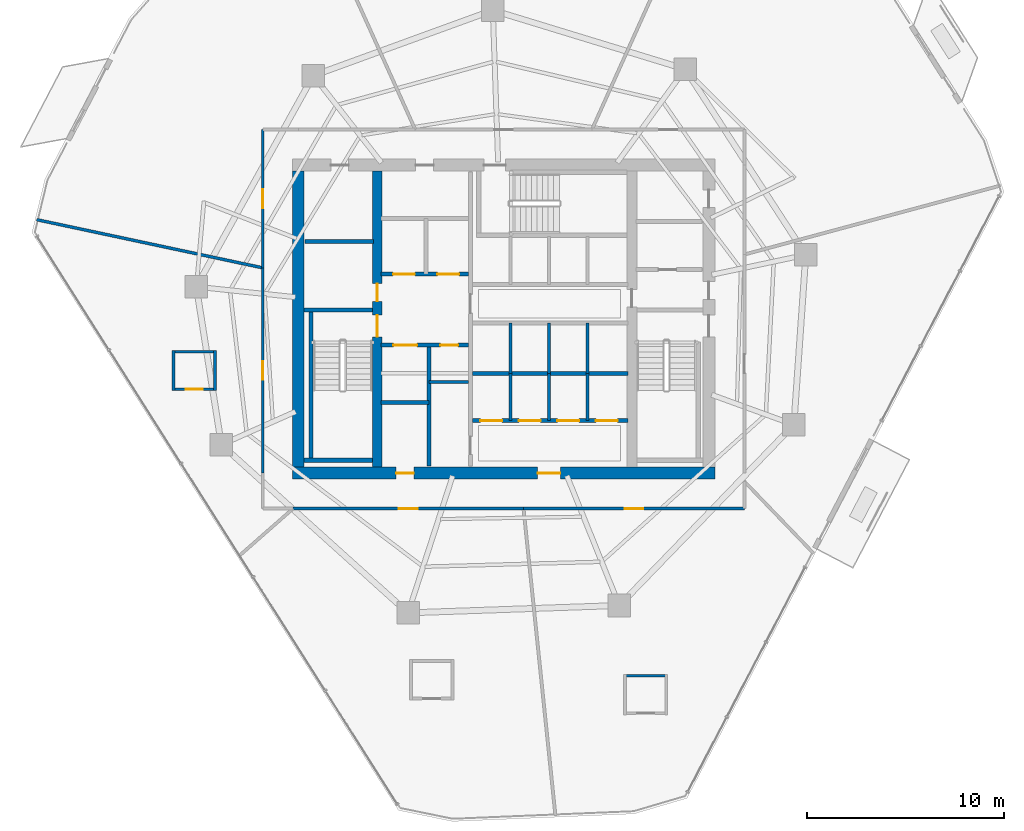
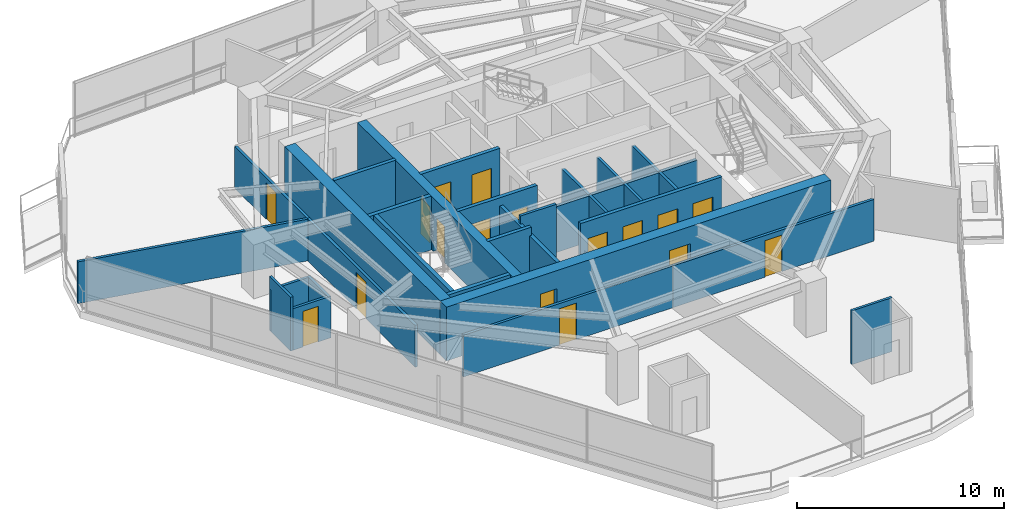
# One storey, part 21 of 25: 30 walls, 17 doors, 17 openings.
"""IFC4 building model written with IfcOpenShell, lengths in metres."""

from ifc_helpers import new_model, si_unit, direction, frame, frame_2d, origin, place, context, subcontext, project, spatial, rectangle, extrude, material, layer, layer_set, type_object, element, fill, save


model = new_model("IFC4")

# Units and contexts
model_context = context("Model", 3, precision=1e-05, world=origin(), true_north=direction((0.0, 1.0)))
body_context = subcontext(model_context, "Body", "Model", "MODEL_VIEW")
ifc_project = project(units=[si_unit("LENGTHUNIT", "METRE"), si_unit("AREAUNIT", "SQUARE_METRE"), si_unit("VOLUMEUNIT", "CUBIC_METRE"), si_unit("PLANEANGLEUNIT", "RADIAN"), si_unit("MASSUNIT", "GRAM", prefix="KILO")], contexts=[model_context])

# Site, building, storey
site_placement = place(None, origin())
site = spatial("IfcSite", under=ifc_project, at=site_placement, CompositionType="ELEMENT")
building_placement = place(site_placement, origin())
building = spatial("IfcBuilding", under=site, at=building_placement, Name="Qarnah Convention Tower", CompositionType="ELEMENT")
storey_placement = place(building_placement, frame((0.0, 0.0, 76.35009765625)))
storey = spatial("IfcBuildingStorey", under=building, at=storey_placement, Name="L19", CompositionType="ELEMENT", Elevation=76.35009765625)

# Wall, openings, doors
ifc_material_1 = material(Name="Concrete C60/75", Category="concrete")
ifc_layer_1 = layer(ifc_material_1, 0.60009765625)
ifc_layer_set_1 = layer_set([ifc_layer_1], Name="Concrete C60/75")
wall_type_1 = type_object("IfcWallType", Name="WL-CORE-600", PredefinedType="SHEAR", material=ifc_layer_set_1)
wall_1_placement = place(storey_placement, frame((26.5, 18.60009765625, 0.0), z_axis=(0.0, 0.0, 1.0), x_axis=(1.0, 0.0, 0.0)))
wall_1 = element("IfcWall", 1, at=wall_1_placement, inside=storey, type_object=wall_type_1, Name="L19 core south shear wall", PredefinedType="SHEAR", context=body_context, shape_type="SweptSolid", body=[
    extrude(rectangle(XDim=21.39990234375, YDim=0.60009765625, at=frame_2d((10.699951171875, 0.0))), origin(), (0.0, 0.0, 1.0), 3.169921875),
])
opening_1_placement = place(wall_1_placement, frame((12.425048828125, 0.0, 0.0)))
opening_1 = element("IfcOpeningElement", 2, at=opening_1_placement, cuts=wall_1, Name="Opening D-1907", PredefinedType="OPENING", context=body_context, shape_type="SweptSolid", body=[
    extrude(rectangle(XDim=1.14990234375, YDim=2.14990234375, at=frame_2d((0.574951171875, 1.074951171875))), frame((0.0, 0.31005859375, 0.0), z_axis=(0.0, -1.0, 0.0), x_axis=(1.0, 0.0, 0.0)), (0.0, 0.0, 1.0), 0.6201171875),
])
opening_2_placement = place(wall_1_placement, frame((5.25, 0.0, 0.0)))
opening_2 = element("IfcOpeningElement", 3, at=opening_2_placement, cuts=wall_1, Name="Opening D-1913", PredefinedType="OPENING", context=body_context, shape_type="SweptSolid", body=[
    extrude(rectangle(XDim=0.89990234375, YDim=2.10009765625, at=frame_2d((0.449951171875, 1.050048828125))), frame((0.0, 0.31005859375, 0.0), z_axis=(0.0, -1.0, 0.0), x_axis=(1.0, 0.0, 0.0)), (0.0, 0.0, 1.0), 0.6201171875),
])
ifc_material_2 = material(Name="Structural steel S355JR", Category="steel")
door_type_1 = type_object("IfcDoorType", Name="DT-LOBBY-1150", OperationType="NOTDEFINED", PredefinedType="DOOR", material=ifc_material_2)
door_1_placement = place(opening_1_placement, origin())
door_1 = element("IfcDoor", 4, at=door_1_placement, inside=storey, type_object=door_type_1, Name="Door D-1907", OperationType="SINGLE_SWING_LEFT", OverallHeight=2.14990234375, OverallWidth=1.14990234375, PredefinedType="DOOR", context=body_context, shape_type="SweptSolid", body=[
    extrude(rectangle(XDim=1.14990234375, YDim=2.14990234375, at=frame_2d((0.574951171875, 1.074951171875))), frame((0.0, 0.02490234375, 0.0), z_axis=(0.0, -1.0, 0.0), x_axis=(1.0, 0.0, 0.0)), (0.0, 0.0, 1.0), 0.050048828125),
])
fill(opening_1, door_1)
door_type_2 = type_object("IfcDoorType", Name="DT-RISER-900", OperationType="NOTDEFINED", PredefinedType="DOOR", material=ifc_material_2)
door_2_placement = place(opening_2_placement, origin())
door_2 = element("IfcDoor", 5, at=door_2_placement, inside=storey, type_object=door_type_2, Name="Door D-1913", OperationType="SINGLE_SWING_LEFT", OverallHeight=2.10009765625, OverallWidth=0.89990234375, PredefinedType="DOOR", context=body_context, shape_type="SweptSolid", body=[
    extrude(rectangle(XDim=0.89990234375, YDim=2.10009765625, at=frame_2d((0.449951171875, 1.050048828125))), frame((0.0, 0.02490234375, 0.0), z_axis=(0.0, -1.0, 0.0), x_axis=(1.0, 0.0, 0.0)), (0.0, 0.0, 1.0), 0.050048828125),
])
fill(opening_2, door_2)

# Wall
wall_2_placement = place(storey_placement, frame((26.800048828125, 18.89990234375, 0.0), z_axis=(0.0, 0.0, 1.0), x_axis=(0.0, 1.0, 0.0)))
element("IfcWall", 6, at=wall_2_placement, inside=storey, type_object=wall_type_1, Name="L19 core west shear wall", PredefinedType="SHEAR", context=body_context, shape_type="SweptSolid", body=[
    extrude(rectangle(XDim=15.0, YDim=0.60009765625, at=frame_2d((7.5, 0.0))), origin(), (0.0, 0.0, 1.0), 3.169921875),
])

# Wall, openings, doors
ifc_layer_2 = layer(ifc_material_1, 0.5)
ifc_layer_set_2 = layer_set([ifc_layer_2], Name="Concrete C60/75")
wall_type_2 = type_object("IfcWallType", Name="WL-CORE-INT-400", PredefinedType="SHEAR", material=ifc_layer_set_2)
wall_3_placement = place(storey_placement, frame((30.800048828125, 18.89990234375, 0.0), z_axis=(0.0, 0.0, 1.0), x_axis=(0.0, 1.0, 0.0)))
wall_3 = element("IfcWall", 7, at=wall_3_placement, inside=storey, type_object=wall_type_2, Name="L19 core west spine shear wall", PredefinedType="SHEAR", context=body_context, shape_type="SweptSolid", body=[
    extrude(rectangle(XDim=15.0, YDim=0.5, at=frame_2d((7.5, 0.0))), origin(), (0.0, 0.0, 1.0), 3.169921875),
])
opening_3_placement = place(wall_3_placement, frame((6.60009765625, 0.0, 0.0)))
opening_3 = element("IfcOpeningElement", 8, at=opening_3_placement, cuts=wall_3, Name="Opening D-1901", PredefinedType="OPENING", context=body_context, shape_type="SweptSolid", body=[
    extrude(rectangle(XDim=1.10009765625, YDim=2.14990234375, at=frame_2d((0.550048828125, 1.074951171875))), frame((0.0, 0.260009765625, 0.0), z_axis=(0.0, -1.0, 0.0), x_axis=(1.0, 0.0, 0.0)), (0.0, 0.0, 1.0), 0.52001953125),
])
opening_4_placement = place(wall_3_placement, frame((8.39990234375, 0.0, 0.0)))
opening_4 = element("IfcOpeningElement", 9, at=opening_4_placement, cuts=wall_3, Name="Opening D-1908", PredefinedType="OPENING", context=body_context, shape_type="SweptSolid", body=[
    extrude(rectangle(XDim=0.89990234375, YDim=2.10009765625, at=frame_2d((0.449951171875, 1.050048828125))), frame((0.0, 0.260009765625, 0.0), z_axis=(0.0, -1.0, 0.0), x_axis=(1.0, 0.0, 0.0)), (0.0, 0.0, 1.0), 0.52001953125),
])
door_3_placement = place(opening_4_placement, origin())
door_3 = element("IfcDoor", 10, at=door_3_placement, inside=storey, type_object=door_type_2, Name="Door D-1908", OperationType="SINGLE_SWING_RIGHT", OverallHeight=2.10009765625, OverallWidth=0.89990234375, PredefinedType="DOOR", context=body_context, shape_type="SweptSolid", body=[
    extrude(rectangle(XDim=0.89990234375, YDim=2.10009765625, at=frame_2d((0.449951171875, 1.050048828125))), frame((0.0, 0.02490234375, 0.0), z_axis=(0.0, -1.0, 0.0), x_axis=(1.0, 0.0, 0.0)), (0.0, 0.0, 1.0), 0.050048828125),
])
fill(opening_4, door_3)
door_type_3 = type_object("IfcDoorType", Name="DT-STAIR-1100", OperationType="NOTDEFINED", PredefinedType="DOOR", material=ifc_material_2)
door_4_placement = place(opening_3_placement, origin())
door_4 = element("IfcDoor", 11, at=door_4_placement, inside=storey, type_object=door_type_3, Name="Door D-1901", OperationType="SINGLE_SWING_LEFT", OverallHeight=2.14990234375, OverallWidth=1.10009765625, PredefinedType="DOOR", context=body_context, shape_type="SweptSolid", body=[
    extrude(rectangle(XDim=1.10009765625, YDim=2.14990234375, at=frame_2d((0.550048828125, 1.074951171875))), frame((0.0, 0.02490234375, 0.0), z_axis=(0.0, -1.0, 0.0), x_axis=(1.0, 0.0, 0.0)), (0.0, 0.0, 1.0), 0.050048828125),
])
fill(opening_3, door_4)

# Wall
ifc_material_3 = material(Name="Concrete C45/55", Category="concrete")
ifc_layer_3 = layer(ifc_material_3, 0.199951171875)
ifc_layer_set_3 = layer_set([ifc_layer_3], Name="Concrete C45/55")
wall_type_3 = type_object("IfcWallType", Name="WL-CORE-PART-200", PredefinedType="SOLIDWALL", material=ifc_layer_set_3)
wall_4_placement = place(storey_placement, frame((27.14990234375, 30.320068359375, 0.0), z_axis=(0.0, 0.0, 1.0), x_axis=(1.0, 0.0, 0.0)))
element("IfcWall", 12, at=wall_4_placement, inside=storey, type_object=wall_type_3, Name="L19 interior wall IW-L19-ELRN", PredefinedType="SOLIDWALL", context=body_context, shape_type="SweptSolid", body=[
    extrude(rectangle(XDim=3.4501953125, YDim=0.199951171875, at=frame_2d((1.72509765625, 0.0))), origin(), (0.0, 0.0, 1.0), 3.169921875),
])

# Wall, openings, doors
wall_5_placement = place(storey_placement, frame((31.0, 28.679931640625, 0.0), z_axis=(0.0, 0.0, 1.0), x_axis=(1.0, 0.0, 0.0)))
wall_5 = element("IfcWall", 13, at=wall_5_placement, inside=storey, type_object=wall_type_3, Name="L19 interior wall IW-L19-FFLS", PredefinedType="SOLIDWALL", context=body_context, shape_type="SweptSolid", body=[
    extrude(rectangle(XDim=4.419921875, YDim=0.199951171875, at=frame_2d((2.2099609375, 0.0))), origin(), (0.0, 0.0, 1.0), 3.169921875),
])
opening_5_placement = place(wall_5_placement, frame((0.60009765625, 0.0, 0.0)))
opening_5 = element("IfcOpeningElement", 14, at=opening_5_placement, cuts=wall_5, Name="Opening LD-1901", PredefinedType="OPENING", context=body_context, shape_type="SweptSolid", body=[
    extrude(rectangle(XDim=1.10009765625, YDim=2.14990234375, at=frame_2d((0.550048828125, 1.074951171875))), frame((0.0, 0.10986328125, 0.0), z_axis=(0.0, -1.0, 0.0), x_axis=(1.0, 0.0, 0.0)), (0.0, 0.0, 1.0), 0.219970703125),
])
opening_6_placement = place(wall_5_placement, frame((2.85009765625, 0.0, 0.0)))
opening_6 = element("IfcOpeningElement", 15, at=opening_6_placement, cuts=wall_5, Name="Opening LD-1902", PredefinedType="OPENING", context=body_context, shape_type="SweptSolid", body=[
    extrude(rectangle(XDim=1.10009765625, YDim=2.14990234375, at=frame_2d((0.550048828125, 1.074951171875))), frame((0.0, 0.10986328125, 0.0), z_axis=(0.0, -1.0, 0.0), x_axis=(1.0, 0.0, 0.0)), (0.0, 0.0, 1.0), 0.219970703125),
])
door_type_4 = type_object("IfcDoorType", Name="DT-LIFT-1100", OperationType="SLIDING_TO_LEFT", PredefinedType="DOOR", material=ifc_material_2)
door_5_placement = place(opening_5_placement, origin())
door_5 = element("IfcDoor", 16, at=door_5_placement, inside=storey, type_object=door_type_4, Name="Door LD-1901", OperationType="SLIDING_TO_LEFT", OverallHeight=2.14990234375, OverallWidth=1.10009765625, PredefinedType="DOOR", context=body_context, shape_type="SweptSolid", body=[
    extrude(rectangle(XDim=1.10009765625, YDim=2.14990234375, at=frame_2d((0.550048828125, 1.074951171875))), frame((0.0, 0.02490234375, 0.0), z_axis=(0.0, -1.0, 0.0), x_axis=(1.0, 0.0, 0.0)), (0.0, 0.0, 1.0), 0.050048828125),
])
fill(opening_5, door_5)
door_6_placement = place(opening_6_placement, origin())
door_6 = element("IfcDoor", 17, at=door_6_placement, inside=storey, type_object=door_type_4, Name="Door LD-1902", OperationType="SLIDING_TO_LEFT", OverallHeight=2.14990234375, OverallWidth=1.10009765625, PredefinedType="DOOR", context=body_context, shape_type="SweptSolid", body=[
    extrude(rectangle(XDim=1.10009765625, YDim=2.14990234375, at=frame_2d((0.550048828125, 1.074951171875))), frame((0.0, 0.02490234375, 0.0), z_axis=(0.0, -1.0, 0.0), x_axis=(1.0, 0.0, 0.0)), (0.0, 0.0, 1.0), 0.050048828125),
])
fill(opening_6, door_6)

wall_6_placement = place(storey_placement, frame((31.0, 25.080078125, 0.0), z_axis=(0.0, 0.0, 1.0), x_axis=(1.0, 0.0, 0.0)))
wall_6 = element("IfcWall", 18, at=wall_6_placement, inside=storey, type_object=wall_type_3, Name="L19 interior wall IW-L19-FFLBS", PredefinedType="SOLIDWALL", context=body_context, shape_type="SweptSolid", body=[
    extrude(rectangle(XDim=4.419921875, YDim=0.199951171875, at=frame_2d((2.2099609375, 0.0))), origin(), (0.0, 0.0, 1.0), 3.169921875),
])
opening_7_placement = place(wall_6_placement, frame((3.0, 0.0, 0.0)))
opening_7 = element("IfcOpeningElement", 19, at=opening_7_placement, cuts=wall_6, Name="Opening D-1915", PredefinedType="OPENING", context=body_context, shape_type="SweptSolid", body=[
    extrude(rectangle(XDim=0.89990234375, YDim=2.10009765625, at=frame_2d((0.449951171875, 1.050048828125))), frame((0.0, 0.10986328125, 0.0), z_axis=(0.0, -1.0, 0.0), x_axis=(1.0, 0.0, 0.0)), (0.0, 0.0, 1.0), 0.219970703125),
])
opening_8_placement = place(wall_6_placement, frame((0.6201171875, 0.0, 0.0)))
opening_8 = element("IfcOpeningElement", 20, at=opening_8_placement, cuts=wall_6, Name="Opening LD-1903", PredefinedType="OPENING", context=body_context, shape_type="SweptSolid", body=[
    extrude(rectangle(XDim=1.199951171875, YDim=2.14990234375, at=frame_2d((0.60009765625, 1.074951171875))), frame((0.0, 0.10986328125, 0.0), z_axis=(0.0, -1.0, 0.0), x_axis=(1.0, 0.0, 0.0)), (0.0, 0.0, 1.0), 0.219970703125),
])
door_type_5 = type_object("IfcDoorType", Name="DT-LIFT-1200", OperationType="SLIDING_TO_LEFT", PredefinedType="DOOR", material=ifc_material_2)
door_7_placement = place(opening_8_placement, origin())
door_7 = element("IfcDoor", 21, at=door_7_placement, inside=storey, type_object=door_type_5, Name="Door LD-1903", OperationType="SLIDING_TO_LEFT", OverallHeight=2.14990234375, OverallWidth=1.199951171875, PredefinedType="DOOR", context=body_context, shape_type="SweptSolid", body=[
    extrude(rectangle(XDim=1.199951171875, YDim=2.14990234375, at=frame_2d((0.60009765625, 1.074951171875))), frame((0.0, 0.02490234375, 0.0), z_axis=(0.0, -1.0, 0.0), x_axis=(1.0, 0.0, 0.0)), (0.0, 0.0, 1.0), 0.050048828125),
])
fill(opening_8, door_7)
door_8_placement = place(opening_7_placement, origin())
door_8 = element("IfcDoor", 22, at=door_8_placement, inside=storey, type_object=door_type_2, Name="Door D-1915", OperationType="SINGLE_SWING_LEFT", OverallHeight=2.10009765625, OverallWidth=0.89990234375, PredefinedType="DOOR", context=body_context, shape_type="SweptSolid", body=[
    extrude(rectangle(XDim=0.89990234375, YDim=2.10009765625, at=frame_2d((0.449951171875, 1.050048828125))), frame((0.0, 0.02490234375, 0.0), z_axis=(0.0, -1.0, 0.0), x_axis=(1.0, 0.0, 0.0)), (0.0, 0.0, 1.0), 0.050048828125),
])
fill(opening_7, door_8)

# Walls
wall_7_placement = place(storey_placement, frame((33.419921875, 18.949951171875, 0.0), z_axis=(0.0, 0.0, 1.0), x_axis=(0.0, 1.0, 0.0)))
element("IfcWall", 23, at=wall_7_placement, inside=storey, type_object=wall_type_3, Name="L19 interior wall IW-L19-SVLE", PredefinedType="SOLIDWALL", context=body_context, shape_type="SweptSolid", body=[
    extrude(rectangle(XDim=6.130126953125, YDim=0.199951171875, at=frame_2d((3.06494140625, 0.0))), origin(), (0.0, 0.0, 1.0), 2.69091796875),
])
wall_8_placement = place(storey_placement, frame((31.0, 22.179931640625, 0.0), z_axis=(0.0, 0.0, 1.0), x_axis=(1.0, 0.0, 0.0)))
element("IfcWall", 24, at=wall_8_placement, inside=storey, type_object=wall_type_3, Name="L19 interior wall IW-L19-SVLS", PredefinedType="SOLIDWALL", context=body_context, shape_type="SweptSolid", body=[
    extrude(rectangle(XDim=2.419921875, YDim=0.199951171875, at=frame_2d((1.2099609375, 0.0))), origin(), (0.0, 0.0, 1.0), 3.169921875),
])
wall_9_placement = place(storey_placement, frame((35.6201171875, 23.64990234375, 0.0), z_axis=(0.0, 0.0, 1.0), x_axis=(1.0, 0.0, 0.0)))
element("IfcWall", 25, at=wall_9_placement, inside=storey, type_object=wall_type_3, Name="L19 interior wall IW-L19-PMPL", PredefinedType="SOLIDWALL", context=body_context, shape_type="SweptSolid", body=[
    extrude(rectangle(XDim=7.8798828125, YDim=0.199951171875, at=frame_2d((3.93994140625, 0.0))), origin(), (0.0, 0.0, 1.0), 2.69091796875),
])

# Wall, openings, doors
wall_10_placement = place(storey_placement, frame((35.6201171875, 21.25, 0.0), z_axis=(0.0, 0.0, 1.0), x_axis=(1.0, 0.0, 0.0)))
wall_10 = element("IfcWall", 26, at=wall_10_placement, inside=storey, type_object=wall_type_3, Name="L19 interior wall IW-L19-PLS", PredefinedType="SOLIDWALL", context=body_context, shape_type="SweptSolid", body=[
    extrude(rectangle(XDim=7.8798828125, YDim=0.199951171875, at=frame_2d((3.93994140625, 0.0))), origin(), (0.0, 0.0, 1.0), 3.169921875),
])
opening_9_placement = place(wall_10_placement, frame((0.405029296875, 0.0, 0.0)))
opening_9 = element("IfcOpeningElement", 27, at=opening_9_placement, cuts=wall_10, Name="Opening LD-1904", PredefinedType="OPENING", context=body_context, shape_type="SweptSolid", body=[
    extrude(rectangle(XDim=1.10009765625, YDim=2.14990234375, at=frame_2d((0.550048828125, 1.074951171875))), frame((0.0, 0.10986328125, 0.0), z_axis=(0.0, -1.0, 0.0), x_axis=(1.0, 0.0, 0.0)), (0.0, 0.0, 1.0), 0.219970703125),
])
opening_10_placement = place(wall_10_placement, frame((2.35498046875, 0.0, 0.0)))
opening_10 = element("IfcOpeningElement", 28, at=opening_10_placement, cuts=wall_10, Name="Opening LD-1905", PredefinedType="OPENING", context=body_context, shape_type="SweptSolid", body=[
    extrude(rectangle(XDim=1.10009765625, YDim=2.14990234375, at=frame_2d((0.550048828125, 1.074951171875))), frame((0.0, 0.10986328125, 0.0), z_axis=(0.0, -1.0, 0.0), x_axis=(1.0, 0.0, 0.0)), (0.0, 0.0, 1.0), 0.219970703125),
])
opening_11_placement = place(wall_10_placement, frame((4.304931640625, 0.0, 0.0)))
opening_11 = element("IfcOpeningElement", 29, at=opening_11_placement, cuts=wall_10, Name="Opening LD-1906", PredefinedType="OPENING", context=body_context, shape_type="SweptSolid", body=[
    extrude(rectangle(XDim=1.10009765625, YDim=2.14990234375, at=frame_2d((0.550048828125, 1.074951171875))), frame((0.0, 0.10986328125, 0.0), z_axis=(0.0, -1.0, 0.0), x_axis=(1.0, 0.0, 0.0)), (0.0, 0.0, 1.0), 0.219970703125),
])
opening_12_placement = place(wall_10_placement, frame((6.2548828125, 0.0, 0.0)))
opening_12 = element("IfcOpeningElement", 30, at=opening_12_placement, cuts=wall_10, Name="Opening LD-1907", PredefinedType="OPENING", context=body_context, shape_type="SweptSolid", body=[
    extrude(rectangle(XDim=1.10009765625, YDim=2.14990234375, at=frame_2d((0.550048828125, 1.074951171875))), frame((0.0, 0.10986328125, 0.0), z_axis=(0.0, -1.0, 0.0), x_axis=(1.0, 0.0, 0.0)), (0.0, 0.0, 1.0), 0.219970703125),
])
door_9_placement = place(opening_9_placement, origin())
door_9 = element("IfcDoor", 31, at=door_9_placement, inside=storey, type_object=door_type_4, Name="Door LD-1904", OperationType="SLIDING_TO_LEFT", OverallHeight=2.14990234375, OverallWidth=1.10009765625, PredefinedType="DOOR", context=body_context, shape_type="SweptSolid", body=[
    extrude(rectangle(XDim=1.10009765625, YDim=2.14990234375, at=frame_2d((0.550048828125, 1.074951171875))), frame((0.0, 0.02490234375, 0.0), z_axis=(0.0, -1.0, 0.0), x_axis=(1.0, 0.0, 0.0)), (0.0, 0.0, 1.0), 0.050048828125),
])
fill(opening_9, door_9)
door_10_placement = place(opening_10_placement, origin())
door_10 = element("IfcDoor", 32, at=door_10_placement, inside=storey, type_object=door_type_4, Name="Door LD-1905", OperationType="SLIDING_TO_LEFT", OverallHeight=2.14990234375, OverallWidth=1.10009765625, PredefinedType="DOOR", context=body_context, shape_type="SweptSolid", body=[
    extrude(rectangle(XDim=1.10009765625, YDim=2.14990234375, at=frame_2d((0.550048828125, 1.074951171875))), frame((0.0, 0.02490234375, 0.0), z_axis=(0.0, -1.0, 0.0), x_axis=(1.0, 0.0, 0.0)), (0.0, 0.0, 1.0), 0.050048828125),
])
fill(opening_10, door_10)
door_11_placement = place(opening_11_placement, origin())
door_11 = element("IfcDoor", 33, at=door_11_placement, inside=storey, type_object=door_type_4, Name="Door LD-1906", OperationType="SLIDING_TO_LEFT", OverallHeight=2.14990234375, OverallWidth=1.10009765625, PredefinedType="DOOR", context=body_context, shape_type="SweptSolid", body=[
    extrude(rectangle(XDim=1.10009765625, YDim=2.14990234375, at=frame_2d((0.550048828125, 1.074951171875))), frame((0.0, 0.02490234375, 0.0), z_axis=(0.0, -1.0, 0.0), x_axis=(1.0, 0.0, 0.0)), (0.0, 0.0, 1.0), 0.050048828125),
])
fill(opening_11, door_11)
door_12_placement = place(opening_12_placement, origin())
door_12 = element("IfcDoor", 34, at=door_12_placement, inside=storey, type_object=door_type_4, Name="Door LD-1907", OperationType="SLIDING_TO_LEFT", OverallHeight=2.14990234375, OverallWidth=1.10009765625, PredefinedType="DOOR", context=body_context, shape_type="SweptSolid", body=[
    extrude(rectangle(XDim=1.10009765625, YDim=2.14990234375, at=frame_2d((0.550048828125, 1.074951171875))), frame((0.0, 0.02490234375, 0.0), z_axis=(0.0, -1.0, 0.0), x_axis=(1.0, 0.0, 0.0)), (0.0, 0.0, 1.0), 0.050048828125),
])
fill(opening_12, door_12)

# Walls
ifc_layer_4 = layer(ifc_material_1, 0.219970703125)
ifc_layer_set_4 = layer_set([ifc_layer_4], Name="Concrete C60/75")
wall_type_4 = type_object("IfcWallType", Name="WL-CORE-STAIR-220", PredefinedType="SHEAR", material=ifc_layer_set_4)
wall_11_placement = place(storey_placement, frame((27.10009765625, 26.860107421875, 0.0), z_axis=(0.0, 0.0, 1.0), x_axis=(1.0, 0.0, 0.0)))
element("IfcWall", 35, at=wall_11_placement, inside=storey, type_object=wall_type_4, Name="L19 stair shaft shear wall SW-L19-ST1N", PredefinedType="SHEAR", context=body_context, shape_type="SweptSolid", body=[
    extrude(rectangle(XDim=3.449951171875, YDim=0.219970703125, at=frame_2d((1.72509765625, 0.0))), origin(), (0.0, 0.0, 1.0), 3.169921875),
])
wall_12_placement = place(storey_placement, frame((27.43994140625, 19.35009765625, 0.0), z_axis=(0.0, 0.0, 1.0), x_axis=(0.0, 1.0, 0.0)))
element("IfcWall", 36, at=wall_12_placement, inside=storey, type_object=wall_type_4, Name="L19 stair shaft shear wall SW-L19-ST1W", PredefinedType="SHEAR", context=body_context, shape_type="SweptSolid", body=[
    extrude(rectangle(XDim=7.39990234375, YDim=0.219970703125, at=frame_2d((3.699951171875, 0.0))), origin(), (0.0, 0.0, 1.0), 3.169921875),
])
wall_13_placement = place(storey_placement, frame((27.10009765625, 19.239990234375, 0.0), z_axis=(0.0, 0.0, 1.0), x_axis=(1.0, 0.0, 0.0)))
element("IfcWall", 37, at=wall_13_placement, inside=storey, type_object=wall_type_4, Name="L19 stair shaft shear wall SW-L19-ST1S", PredefinedType="SHEAR", context=body_context, shape_type="SweptSolid", body=[
    extrude(rectangle(XDim=3.449951171875, YDim=0.219970703125, at=frame_2d((1.72509765625, 0.0))), origin(), (0.0, 0.0, 1.0), 3.169921875),
])
ifc_material_4 = material(Name="Gypsum partition board")
ifc_layer_5 = layer(ifc_material_4, 0.14990234375)
ifc_layer_set_5 = layer_set([ifc_layer_5], Name="Gypsum partition board")
wall_type_5 = type_object("IfcWallType", Name="WL-SUITE-150", PredefinedType="PARTITIONING", material=ifc_layer_set_5)
wall_14_placement = place(storey_placement, frame((33.419921875, 23.219970703125, 0.0), z_axis=(0.0, 0.0, 1.0), x_axis=(1.0, 0.0, 0.0)))
element("IfcWall", 38, at=wall_14_placement, inside=storey, type_object=wall_type_5, Name="L19 interior wall IW-L19-CSV1", PredefinedType="PARTITIONING", context=body_context, shape_type="SweptSolid", body=[
    extrude(rectangle(XDim=2.0, YDim=0.14990234375, at=frame_2d((1.0, 0.0))), origin(), (0.0, 0.0, 1.0), 3.169921875),
])
for number, where, z_axis, x_axis, name in (
    (39, (37.550048828125, 23.64990234375, 0.0), (0.0, 0.0, 1.0), (0.0, 1.0, 0.0), "L19 interior wall IW-L19-PMD1"),
    (40, (39.5, 23.64990234375, 0.0), (0.0, 0.0, 1.0), (0.0, 1.0, 0.0), "L19 interior wall IW-L19-PMD2"),
    (41, (41.449951171875, 23.64990234375, 0.0), (0.0, 0.0, 1.0), (0.0, 1.0, 0.0), "L19 interior wall IW-L19-PMD3"),
):
    element("IfcWall", number, at=place(storey_placement, frame(where, z_axis=z_axis, x_axis=x_axis)), inside=storey, type_object=wall_type_5, Name=name, PredefinedType="PARTITIONING", context=body_context, shape_type="SweptSolid", body=[
        extrude(rectangle(XDim=2.550048828125, YDim=0.14990234375, at=frame_2d((1.27490234375, 0.0))), origin(), (0.0, 0.0, 1.0), 2.69091796875),
    ])
for number, where, z_axis, x_axis, name in (
    (42, (37.550048828125, 21.25, 0.0), (0.0, 0.0, 1.0), (0.0, 1.0, 0.0), "L19 interior wall IW-L19-PLD1"),
    (43, (39.5, 21.25, 0.0), (0.0, 0.0, 1.0), (0.0, 1.0, 0.0), "L19 interior wall IW-L19-PLD2"),
    (44, (41.449951171875, 21.25, 0.0), (0.0, 0.0, 1.0), (0.0, 1.0, 0.0), "L19 interior wall IW-L19-PLD3"),
):
    element("IfcWall", number, at=place(storey_placement, frame(where, z_axis=z_axis, x_axis=x_axis)), inside=storey, type_object=wall_type_5, Name=name, PredefinedType="PARTITIONING", context=body_context, shape_type="SweptSolid", body=[
        extrude(rectangle(XDim=2.39990234375, YDim=0.14990234375, at=frame_2d((1.199951171875, 0.0))), origin(), (0.0, 0.0, 1.0), 2.69091796875),
    ])
wall_15_placement = place(storey_placement, frame((13.547119140625, 31.43505859375, 0.0), z_axis=(0.0, 0.0, 1.0), x_axis=(0.978012740802, -0.208545148179, 0.0)))
element("IfcWall", 45, at=wall_15_placement, inside=storey, type_object=wall_type_5, Name="L19 interior wall IW-L19-R-20", PredefinedType="PARTITIONING", context=body_context, shape_type="SweptSolid", body=[
    extrude(rectangle(XDim=11.71044921875, YDim=0.14990234375, at=frame_2d((5.855224609375, 0.0))), origin(), (0.0, 0.0, 1.0), 2.454833984375),
])

# Wall, opening, door
wall_16_placement = place(storey_placement, frame((25.0, 28.992919921875, 0.0), z_axis=(0.0, 0.0, 1.0), x_axis=(0.0, 1.0, 0.0)))
wall_16 = element("IfcWall", 46, at=wall_16_placement, inside=storey, type_object=wall_type_5, Name="L19 interior wall IW-L19-R-21", PredefinedType="PARTITIONING", context=body_context, shape_type="SweptSolid", body=[
    extrude(rectangle(XDim=7.007080078125, YDim=0.14990234375, at=frame_2d((3.50341796875, 0.0))), origin(), (0.0, 0.0, 1.0), 2.454833984375),
])
opening_13_placement = place(wall_16_placement, frame((3.028076171875, 0.0, 0.0)))
opening_13 = element("IfcOpeningElement", 47, at=opening_13_placement, cuts=wall_16, Name="Opening D-1918", PredefinedType="OPENING", context=body_context, shape_type="SweptSolid", body=[
    extrude(rectangle(XDim=0.949951171875, YDim=2.14990234375, at=frame_2d((0.47509765625, 1.074951171875))), frame((0.0, 0.0849609375, 0.0), z_axis=(0.0, -1.0, 0.0), x_axis=(1.0, 0.0, 0.0)), (0.0, 0.0, 1.0), 0.169921875),
])
ifc_material_5 = material(Name="Oak timber veneer", Category="wood")
door_type_6 = type_object("IfcDoorType", Name="DT-HOTEL-950", OperationType="NOTDEFINED", PredefinedType="DOOR", material=ifc_material_5)
door_13_placement = place(opening_13_placement, origin())
door_13 = element("IfcDoor", 48, at=door_13_placement, inside=storey, type_object=door_type_6, Name="Door D-1918", OperationType="SINGLE_SWING_RIGHT", OverallHeight=2.14990234375, OverallWidth=0.949951171875, PredefinedType="DOOR", context=body_context, shape_type="SweptSolid", body=[
    extrude(rectangle(XDim=0.949951171875, YDim=2.14990234375, at=frame_2d((0.47509765625, 1.074951171875))), frame((0.0, 0.02490234375, 0.0), z_axis=(0.0, -1.0, 0.0), x_axis=(1.0, 0.0, 0.0)), (0.0, 0.0, 1.0), 0.050048828125),
])
fill(opening_13, door_13)

wall_17_placement = place(storey_placement, frame((25.0, 18.60009765625, 0.0), z_axis=(0.0, 0.0, 1.0), x_axis=(0.0, 1.0, 0.0)))
wall_17 = element("IfcWall", 49, at=wall_17_placement, inside=storey, type_object=wall_type_5, Name="L19 interior wall IW-L19-R-27", PredefinedType="PARTITIONING", context=body_context, shape_type="SweptSolid", body=[
    extrude(rectangle(XDim=10.392822265625, YDim=0.14990234375, at=frame_2d((5.1962890625, 0.0))), origin(), (0.0, 0.0, 1.0), 2.466796875),
])
opening_14_placement = place(wall_17_placement, frame((4.720947265625, 0.0, 0.0)))
opening_14 = element("IfcOpeningElement", 50, at=opening_14_placement, cuts=wall_17, Name="Opening D-1919", PredefinedType="OPENING", context=body_context, shape_type="SweptSolid", body=[
    extrude(rectangle(XDim=0.949951171875, YDim=2.14990234375, at=frame_2d((0.47509765625, 1.074951171875))), frame((0.0, 0.0849609375, 0.0), z_axis=(0.0, -1.0, 0.0), x_axis=(1.0, 0.0, 0.0)), (0.0, 0.0, 1.0), 0.169921875),
])
door_14_placement = place(opening_14_placement, origin())
door_14 = element("IfcDoor", 51, at=door_14_placement, inside=storey, type_object=door_type_6, Name="Door D-1919", OperationType="SINGLE_SWING_LEFT", OverallHeight=2.14990234375, OverallWidth=0.949951171875, PredefinedType="DOOR", context=body_context, shape_type="SweptSolid", body=[
    extrude(rectangle(XDim=0.949951171875, YDim=2.14990234375, at=frame_2d((0.47509765625, 1.074951171875))), frame((0.0, 0.02490234375, 0.0), z_axis=(0.0, -1.0, 0.0), x_axis=(1.0, 0.0, 0.0)), (0.0, 0.0, 1.0), 0.050048828125),
])
fill(opening_14, door_14)

wall_18_placement = place(storey_placement, frame((38.208984375, 16.800048828125, 0.0), z_axis=(0.0, 0.0, 1.0), x_axis=(-1.0, 0.0, 0.0)))
wall_18 = element("IfcWall", 52, at=wall_18_placement, inside=storey, type_object=wall_type_5, Name="L19 interior wall IW-L19-R-29", PredefinedType="PARTITIONING", context=body_context, shape_type="SweptSolid", body=[
    extrude(rectangle(XDim=11.6708984375, YDim=0.14990234375, at=frame_2d((5.83544921875, 0.0))), origin(), (0.0, 0.0, 1.0), 2.454833984375),
])
opening_15_placement = place(wall_18_placement, frame((5.361083984375, 0.0, 0.0)))
opening_15 = element("IfcOpeningElement", 53, at=opening_15_placement, cuts=wall_18, Name="Opening D-1921", PredefinedType="OPENING", context=body_context, shape_type="SweptSolid", body=[
    extrude(rectangle(XDim=0.949951171875, YDim=2.14990234375, at=frame_2d((0.47509765625, 1.074951171875))), frame((0.0, 0.0849609375, 0.0), z_axis=(0.0, -1.0, 0.0), x_axis=(1.0, 0.0, 0.0)), (0.0, 0.0, 1.0), 0.169921875),
])
door_15_placement = place(opening_15_placement, origin())
door_15 = element("IfcDoor", 54, at=door_15_placement, inside=storey, type_object=door_type_6, Name="Door D-1921", OperationType="SINGLE_SWING_LEFT", OverallHeight=2.14990234375, OverallWidth=0.949951171875, PredefinedType="DOOR", context=body_context, shape_type="SweptSolid", body=[
    extrude(rectangle(XDim=0.949951171875, YDim=2.14990234375, at=frame_2d((0.47509765625, 1.074951171875))), frame((0.0, 0.02490234375, 0.0), z_axis=(0.0, -1.0, 0.0), x_axis=(1.0, 0.0, 0.0)), (0.0, 0.0, 1.0), 0.050048828125),
])
fill(opening_15, door_15)

wall_19_placement = place(storey_placement, frame((49.39990234375, 16.800048828125, 0.0), z_axis=(0.0, 0.0, 1.0), x_axis=(-1.0, 0.0, 0.0)))
wall_19 = element("IfcWall", 55, at=wall_19_placement, inside=storey, type_object=wall_type_5, Name="L19 interior wall IW-L19-R-32", PredefinedType="PARTITIONING", context=body_context, shape_type="SweptSolid", body=[
    extrude(rectangle(XDim=11.19091796875, YDim=0.14990234375, at=frame_2d((5.595458984375, 0.0))), origin(), (0.0, 0.0, 1.0), 2.454833984375),
])
opening_16_placement = place(wall_19_placement, frame((5.1201171875, 0.0, 0.0)))
opening_16 = element("IfcOpeningElement", 56, at=opening_16_placement, cuts=wall_19, Name="Opening D-1923", PredefinedType="OPENING", context=body_context, shape_type="SweptSolid", body=[
    extrude(rectangle(XDim=0.949951171875, YDim=2.14990234375, at=frame_2d((0.47509765625, 1.074951171875))), frame((0.0, 0.0849609375, 0.0), z_axis=(0.0, -1.0, 0.0), x_axis=(1.0, 0.0, 0.0)), (0.0, 0.0, 1.0), 0.169921875),
])
door_16_placement = place(opening_16_placement, origin())
door_16 = element("IfcDoor", 57, at=door_16_placement, inside=storey, type_object=door_type_6, Name="Door D-1923", OperationType="SINGLE_SWING_LEFT", OverallHeight=2.14990234375, OverallWidth=0.949951171875, PredefinedType="DOOR", context=body_context, shape_type="SweptSolid", body=[
    extrude(rectangle(XDim=0.949951171875, YDim=2.14990234375, at=frame_2d((0.47509765625, 1.074951171875))), frame((0.0, 0.02490234375, 0.0), z_axis=(0.0, -1.0, 0.0), x_axis=(1.0, 0.0, 0.0)), (0.0, 0.0, 1.0), 0.050048828125),
])
fill(opening_16, door_16)

ifc_layer_6 = layer(ifc_material_4, 0.139892578125)
ifc_layer_set_6 = layer_set([ifc_layer_6], Name="Gypsum partition board")
wall_type_6 = type_object("IfcWallType", Name="WL-WET-140", PredefinedType="PARTITIONING", material=ifc_layer_set_6)
wall_20_placement = place(storey_placement, frame((20.410888671875, 22.846923828125, 0.0), z_axis=(0.0, 0.0, 1.0), x_axis=(1.0, 0.0, 0.0)))
wall_20 = element("IfcWall", 58, at=wall_20_placement, inside=storey, type_object=wall_type_6, Name="L19 interior wall IW-L19-ENS03-1", PredefinedType="PARTITIONING", context=body_context, shape_type="SweptSolid", body=[
    extrude(rectangle(XDim=2.239990234375, YDim=0.139892578125, at=frame_2d((1.1201171875, 0.0))), origin(), (0.0, 0.0, 1.0), 2.454833984375),
])
opening_17_placement = place(wall_20_placement, frame((0.695068359375, 0.0, 0.0)))
opening_17 = element("IfcOpeningElement", 59, at=opening_17_placement, cuts=wall_20, Name="Opening D-1920", PredefinedType="OPENING", context=body_context, shape_type="SweptSolid", body=[
    extrude(rectangle(XDim=0.85009765625, YDim=2.10009765625, at=frame_2d((0.425048828125, 1.050048828125))), frame((0.0, 0.079833984375, 0.0), z_axis=(0.0, -1.0, 0.0), x_axis=(1.0, 0.0, 0.0)), (0.0, 0.0, 1.0), 0.159912109375),
])
door_type_7 = type_object("IfcDoorType", Name="DT-BATH-850", OperationType="NOTDEFINED", PredefinedType="DOOR", material=ifc_material_5)
door_17_placement = place(opening_17_placement, origin())
door_17 = element("IfcDoor", 60, at=door_17_placement, inside=storey, type_object=door_type_7, Name="Door D-1920", OperationType="SINGLE_SWING_RIGHT", OverallHeight=2.10009765625, OverallWidth=0.85009765625, PredefinedType="DOOR", context=body_context, shape_type="SweptSolid", body=[
    extrude(rectangle(XDim=0.85009765625, YDim=2.10009765625, at=frame_2d((0.425048828125, 1.050048828125))), frame((0.0, 0.02490234375, 0.0), z_axis=(0.0, -1.0, 0.0), x_axis=(1.0, 0.0, 0.0)), (0.0, 0.0, 1.0), 0.050048828125),
])
fill(opening_17, door_17)

# Walls
wall_21_placement = place(storey_placement, frame((22.5810546875, 22.777099609375, 0.0), z_axis=(0.0, 0.0, 1.0), x_axis=(0.0, 1.0, 0.0)))
element("IfcWall", 61, at=wall_21_placement, inside=storey, type_object=wall_type_6, Name="L19 interior wall IW-L19-ENS03-2", PredefinedType="PARTITIONING", context=body_context, shape_type="SweptSolid", body=[
    extrude(rectangle(XDim=2.039794921875, YDim=0.139892578125, at=frame_2d((1.02001953125, 0.0))), origin(), (0.0, 0.0, 1.0), 2.454833984375),
])
wall_22_placement = place(storey_placement, frame((22.65087890625, 24.7470703125, 0.0), z_axis=(0.0, 0.0, 1.0), x_axis=(-1.0, 0.0, 0.0)))
element("IfcWall", 62, at=wall_22_placement, inside=storey, type_object=wall_type_6, Name="L19 interior wall IW-L19-ENS03-3", PredefinedType="PARTITIONING", context=body_context, shape_type="SweptSolid", body=[
    extrude(rectangle(XDim=2.239990234375, YDim=0.139892578125, at=frame_2d((1.1201171875, 0.0))), origin(), (0.0, 0.0, 1.0), 2.454833984375),
])
wall_23_placement = place(storey_placement, frame((20.48095703125, 24.81689453125, 0.0), z_axis=(0.0, 0.0, 1.0), x_axis=(0.0, -1.0, 0.0)))
element("IfcWall", 63, at=wall_23_placement, inside=storey, type_object=wall_type_6, Name="L19 interior wall IW-L19-ENS03-4", PredefinedType="PARTITIONING", context=body_context, shape_type="SweptSolid", body=[
    extrude(rectangle(XDim=2.039794921875, YDim=0.139892578125, at=frame_2d((1.02001953125, 0.0))), origin(), (0.0, 0.0, 1.0), 3.169921875),
])
wall_24_placement = place(storey_placement, frame((45.514892578125, 8.324951171875, 0.0), z_axis=(0.0, 0.0, 1.0), x_axis=(-1.0, 0.0, 0.0)))
element("IfcWall", 64, at=wall_24_placement, inside=storey, type_object=wall_type_6, Name="L19 interior wall IW-L19-ENS05-3", PredefinedType="PARTITIONING", context=body_context, shape_type="SweptSolid", body=[
    extrude(rectangle(XDim=2.239990234375, YDim=0.139892578125, at=frame_2d((1.1201171875, 0.0))), origin(), (0.0, 0.0, 1.0), 3.169921875),
])

save(model, "model.ifc")
